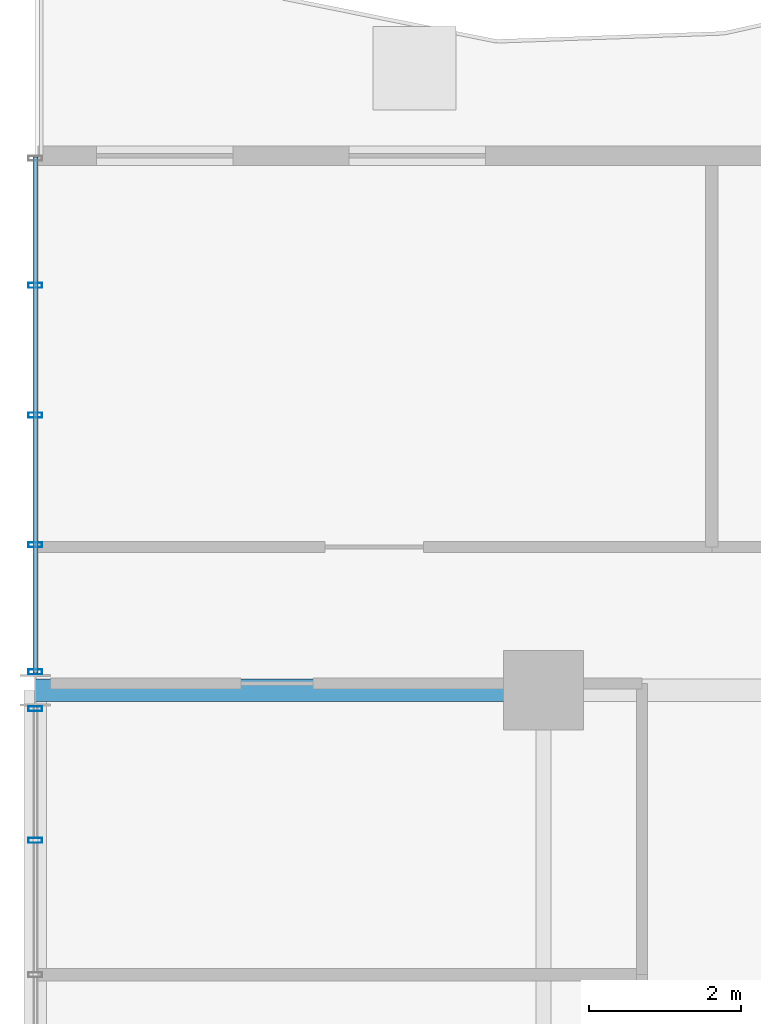
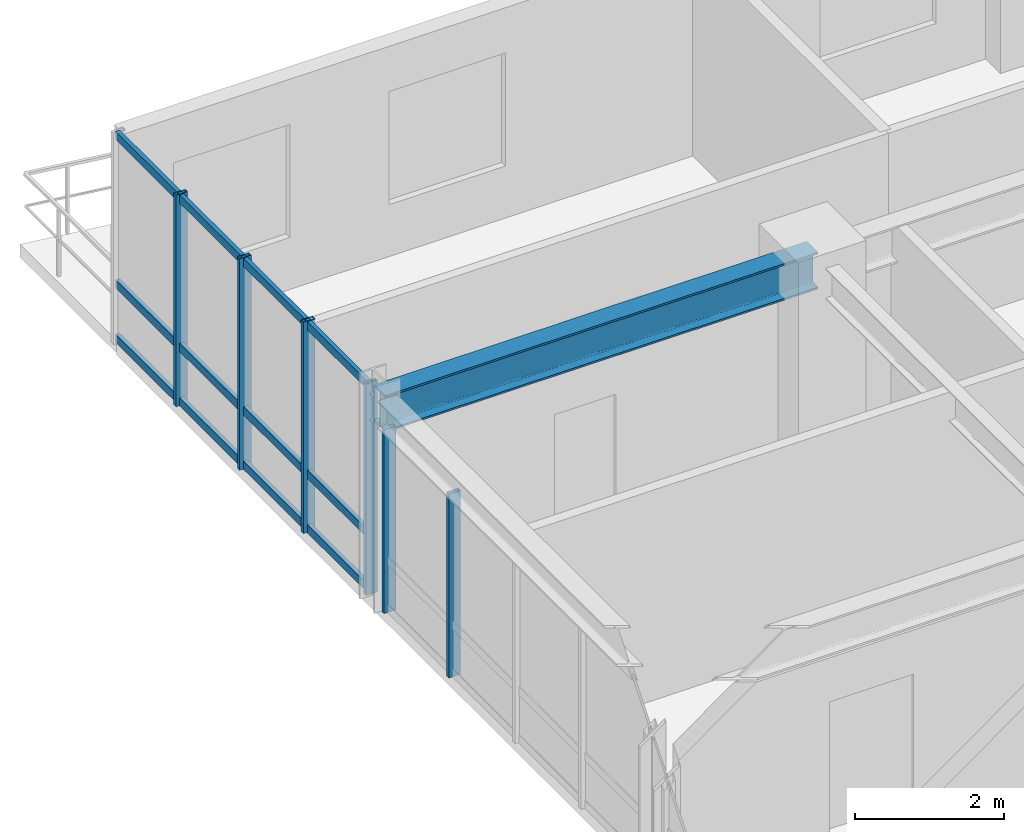
# One storey, part 7 of 19: 9 members, 1 beam, 2 elements without a shape of their own.
"""IFC4 building model written with IfcOpenShell, lengths in metres."""

from ifc_helpers import new_model, si_unit, direction, frame, origin, origin_2d, place, context, subcontext, project, spatial, hollow_rectangle, i_section, extrude, source, transform, mapped, material, layer, layer_set, material_profile, profile_set, type_object, element, aggregate, save


model = new_model("IFC4")

# Units and contexts
model_context = context("Model", 3, precision=1e-05, world=origin(), true_north=direction((0.0, 1.0)))
body_context = subcontext(model_context, "Body", "Model", "MODEL_VIEW")
ifc_project = project(units=[si_unit("LENGTHUNIT", "METRE"), si_unit("AREAUNIT", "SQUARE_METRE"), si_unit("VOLUMEUNIT", "CUBIC_METRE"), si_unit("PLANEANGLEUNIT", "RADIAN"), si_unit("MASSUNIT", "GRAM", prefix="KILO")], contexts=[model_context])

# Site, building, storey
site_placement = place(None, origin())
site = spatial("IfcSite", under=ifc_project, at=site_placement, CompositionType="ELEMENT")
building_placement = place(site_placement, origin())
building = spatial("IfcBuilding", under=site, at=building_placement, Name="Kaliganga Portal Commons", CompositionType="ELEMENT")
storey_placement = place(building_placement, frame((0.0, 0.0, 140.199951171875)))
storey = spatial("IfcBuildingStorey", under=building, at=storey_placement, Name="L35", CompositionType="ELEMENT", Elevation=140.199951171875)

# Beam
ifc_material_1 = material(Name="Structural steel S355J2", Category="steel")
ifc_material_profile_1 = material_profile(ifc_material_1, i_section(OverallWidth=0.300048828125, OverallDepth=0.60009765625, WebThickness=0.015380859375, FlangeThickness=0.030029296875, FilletRadius=0.027099609375, at=origin_2d()), Name="HE 600 B")
ifc_profile_set_1 = profile_set([ifc_material_profile_1], Name="Structural steel S355J2 wide-flange")
beam_type = type_object("IfcBeamType", Name="BM-GIRD-600", PredefinedType="USERDEFINED", material=ifc_profile_set_1)
shared_shape_1 = source(origin(), body_context, "Body", "SweptSolid", [
    extrude(i_section(OverallWidth=0.300048828125, OverallDepth=0.60009765625, WebThickness=0.015380859375, FlangeThickness=0.030029296875, FilletRadius=0.027099609375, at=origin_2d()), origin(), (0.0, 0.0, 1.0), 6.699951171875),
])
beam_placement = place(storey_placement, frame((0.5, 36.14990234375, 3.16015625), z_axis=(1.0, 0.0, 0.0), x_axis=(0.0, 1.0, 0.0)))
element("IfcBeam", 1, at=beam_placement, inside=storey, type_object=beam_type, Name="BM G L35 WAH_N 1", ObjectType="GIRDER", PredefinedType="USERDEFINED", context=body_context, shape_type="MappedRepresentation", body=[
    mapped(shared_shape_1, transform((0.0, 0.0, 0.0), x_axis=(1.0, 0.0, 0.0), y_axis=(0.0, 1.0, 0.0), z_axis=(0.0, 0.0, 1.0), scale=1.0)),
])

# Curtain wall, members
ifc_material_2 = material(Name="Anodized Aluminium and Laminated Low-E Glass", Category="aluminium")
ifc_layer = layer(ifc_material_2, 0.199951171875)
ifc_layer_set = layer_set([ifc_layer], Name="Anodized Aluminium and Laminated Low-E Glass")
curtain_wall_type = type_object("IfcCurtainWallType", Name="CW-SYS-02", PredefinedType="NOTDEFINED", material=ifc_layer_set)
curtain_wall_1_placement = place(storey_placement, origin())
curtain_wall_1 = element("IfcCurtainWall", 2, at=curtain_wall_1_placement, inside=storey, type_object=curtain_wall_type, Name="CW 02 L35 P1E03S1", PredefinedType="NOTDEFINED")
ifc_material_3 = material(Name="Dark Bronze Anodized Aluminium", Category="aluminium")
ifc_material_profile_2 = material_profile(ifc_material_3, hollow_rectangle(XDim=0.06494140625, YDim=0.179931640625, WallThickness=0.00390625, at=origin_2d()), Name="ALU MULL 65x180x4")
ifc_profile_set_2 = profile_set([ifc_material_profile_2], Name="Dark Bronze Anodized Aluminium")
member_type_1 = type_object("IfcMemberType", Name="CW-MUL-180", PredefinedType="MULLION", material=ifc_profile_set_2)
shared_shape_2 = source(origin(), body_context, "Body", "SweptSolid", [
    extrude(hollow_rectangle(XDim=0.06494140625, YDim=0.179931640625, WallThickness=0.00390625, at=origin_2d()), origin(), (0.0, 0.0, 1.0), 3.4599609375),
])
member_1_placement = place(storey_placement, frame((0.5, 41.489501953125, 0.0), z_axis=(0.0, 0.0, 1.0), x_axis=(0.0, -1.0, 0.0)))
member_1 = element("IfcMember", 3, at=member_1_placement, type_object=member_type_1, Name="CW:02:L35:P1E03S1 Mullion 01", PredefinedType="MULLION", context=body_context, shape_type="MappedRepresentation", body=[
    mapped(shared_shape_2, transform((0.0, 0.0, 0.0), x_axis=(1.0, 0.0, 0.0), y_axis=(0.0, 1.0, 0.0), z_axis=(0.0, 0.0, 1.0), scale=1.0)),
])
member_2_placement = place(storey_placement, frame((0.5, 39.779052734375, 0.0), z_axis=(0.0, 0.0, 1.0), x_axis=(0.0, -1.0, 0.0)))
member_2 = element("IfcMember", 4, at=member_2_placement, type_object=member_type_1, Name="CW:02:L35:P1E03S1 Mullion 02", PredefinedType="MULLION", context=body_context, shape_type="MappedRepresentation", body=[
    mapped(shared_shape_2, transform((0.0, 0.0, 0.0), x_axis=(1.0, 0.0, 0.0), y_axis=(0.0, 1.0, 0.0), z_axis=(0.0, 0.0, 1.0), scale=1.0)),
])
member_3_placement = place(storey_placement, frame((0.5, 38.068603515625, 0.0), z_axis=(0.0, 0.0, 1.0), x_axis=(0.0, -1.0, 0.0)))
member_3 = element("IfcMember", 5, at=member_3_placement, type_object=member_type_1, Name="CW:02:L35:P1E03S1 Mullion 03", PredefinedType="MULLION", context=body_context, shape_type="MappedRepresentation", body=[
    mapped(shared_shape_2, transform((0.0, 0.0, 0.0), x_axis=(1.0, 0.0, 0.0), y_axis=(0.0, 1.0, 0.0), z_axis=(0.0, 0.0, 1.0), scale=1.0)),
])
member_4_placement = place(storey_placement, frame((0.5, 36.39306640625, 0.0), z_axis=(0.0, 0.0, 1.0), x_axis=(0.0, -1.0, 0.0)))
member_4 = element("IfcMember", 6, at=member_4_placement, type_object=member_type_1, Name="CW:02:L35:P1E03S1 Mullion 04", PredefinedType="MULLION", context=body_context, shape_type="MappedRepresentation", body=[
    mapped(shared_shape_2, transform((0.0, 0.0, 0.0), x_axis=(1.0, 0.0, 0.0), y_axis=(0.0, 1.0, 0.0), z_axis=(0.0, 0.0, 1.0), scale=1.0)),
])
ifc_material_profile_3 = material_profile(ifc_material_3, hollow_rectangle(XDim=0.06494140625, YDim=0.135009765625, WallThickness=0.00341796875, at=origin_2d()), Name="ALU TRAN 65x135x3.5")
ifc_profile_set_3 = profile_set([ifc_material_profile_3], Name="Dark Bronze Anodized Aluminium")
member_type_2 = type_object("IfcMemberType", Name="CW-TRN-135", PredefinedType="USERDEFINED", material=ifc_profile_set_3)
shared_shape_3 = source(origin(), body_context, "Body", "SweptSolid", [
    extrude(hollow_rectangle(XDim=0.06494140625, YDim=0.135009765625, WallThickness=0.00341796875, at=origin_2d()), origin(), (0.0, 0.0, 1.0), 6.802001953125),
])
member_5_placement = place(storey_placement, frame((0.5, 43.179931640625, 0.06005859375), z_axis=(0.0, -1.0, 0.0), x_axis=(1.0, 0.0, 0.0)))
member_5 = element("IfcMember", 7, at=member_5_placement, type_object=member_type_2, Name="CW:02:L35:P1E03S1 Transom 1", ObjectType="TRANSOM", PredefinedType="USERDEFINED", context=body_context, shape_type="MappedRepresentation", body=[
    mapped(shared_shape_3, transform((0.0, 0.0, 0.0), x_axis=(1.0, 0.0, 0.0), y_axis=(0.0, 1.0, 0.0), z_axis=(0.0, 0.0, 1.0), scale=1.0)),
])
member_6_placement = place(storey_placement, frame((0.5, 43.179931640625, 0.949951171875), z_axis=(0.0, -1.0, 0.0), x_axis=(1.0, 0.0, 0.0)))
member_6 = element("IfcMember", 8, at=member_6_placement, type_object=member_type_2, Name="CW:02:L35:P1E03S1 Transom 2", ObjectType="TRANSOM", PredefinedType="USERDEFINED", context=body_context, shape_type="MappedRepresentation", body=[
    mapped(shared_shape_3, transform((0.0, 0.0, 0.0), x_axis=(1.0, 0.0, 0.0), y_axis=(0.0, 1.0, 0.0), z_axis=(0.0, 0.0, 1.0), scale=1.0)),
])
member_7_placement = place(storey_placement, frame((0.5, 43.179931640625, 3.380126953125), z_axis=(0.0, -1.0, 0.0), x_axis=(1.0, 0.0, 0.0)))
member_7 = element("IfcMember", 9, at=member_7_placement, type_object=member_type_2, Name="CW:02:L35:P1E03S1 Transom 3", ObjectType="TRANSOM", PredefinedType="USERDEFINED", context=body_context, shape_type="MappedRepresentation", body=[
    mapped(shared_shape_3, transform((0.0, 0.0, 0.0), x_axis=(1.0, 0.0, 0.0), y_axis=(0.0, 1.0, 0.0), z_axis=(0.0, 0.0, 1.0), scale=1.0)),
])
aggregate(curtain_wall_1, [member_1, member_2, member_3, member_4, member_5, member_6, member_7])

curtain_wall_2_placement = place(storey_placement, origin())
curtain_wall_2 = element("IfcCurtainWall", 10, at=curtain_wall_2_placement, inside=storey, type_object=curtain_wall_type, Name="CW 02 L35 P1E03S2", PredefinedType="NOTDEFINED")
shared_shape_4 = source(origin(), body_context, "Body", "SweptSolid", [
    extrude(hollow_rectangle(XDim=0.06494140625, YDim=0.179931640625, WallThickness=0.00390625, at=origin_2d()), origin(), (0.0, 0.0, 1.0), 3.010009765625),
])
member_8_placement = place(storey_placement, frame((0.5, 35.906982421875, 0.0), z_axis=(0.0, 0.0, 1.0), x_axis=(0.0, -1.0, 0.0)))
member_8 = element("IfcMember", 11, at=member_8_placement, type_object=member_type_1, Name="CW:02:L35:P1E03S2 Mullion 00", PredefinedType="MULLION", context=body_context, shape_type="MappedRepresentation", body=[
    mapped(shared_shape_4, transform((0.0, 0.0, 0.0), x_axis=(1.0, 0.0, 0.0), y_axis=(0.0, 1.0, 0.0), z_axis=(0.0, 0.0, 1.0), scale=1.0)),
])
member_9_placement = place(storey_placement, frame((0.5, 34.1708984375, 0.0), z_axis=(0.0, 0.0, 1.0), x_axis=(0.0, -1.0, 0.0)))
member_9 = element("IfcMember", 12, at=member_9_placement, type_object=member_type_1, Name="CW:02:L35:P1E03S2 Mullion 01", PredefinedType="MULLION", context=body_context, shape_type="MappedRepresentation", body=[
    mapped(shared_shape_4, transform((0.0, 0.0, 0.0), x_axis=(1.0, 0.0, 0.0), y_axis=(0.0, 1.0, 0.0), z_axis=(0.0, 0.0, 1.0), scale=1.0)),
])
aggregate(curtain_wall_2, [member_8, member_9])

save(model, "model.ifc")
